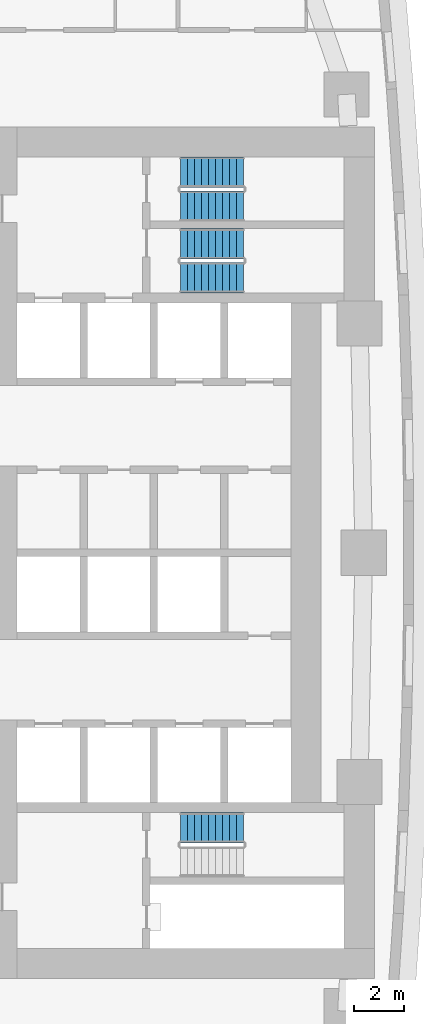
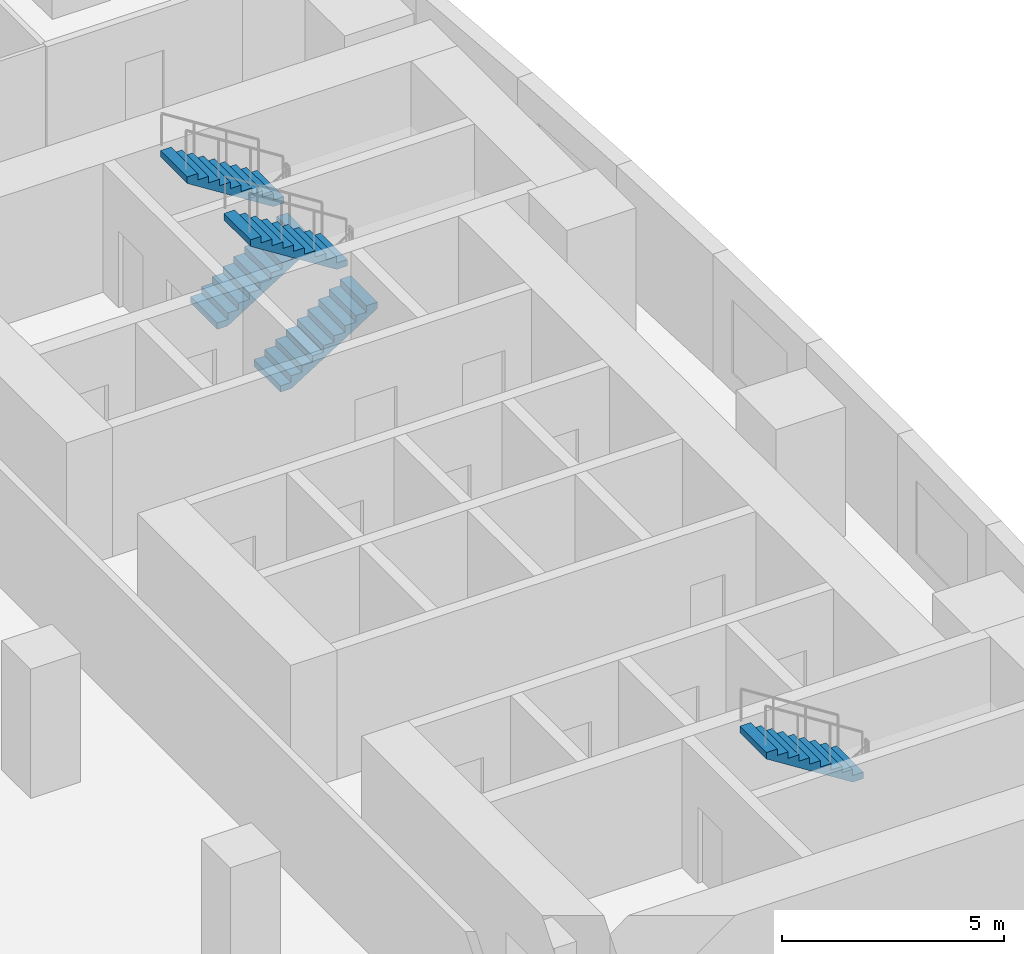
# One storey, part 14 of 19: 5 stair flights, 3 elements without a shape of their own.
"""IFC4 building model written with IfcOpenShell, lengths in metres."""

from ifc_helpers import new_model, si_unit, direction, frame, origin, place, context, subcontext, project, spatial, polyline, outline, extrude, material, type_object, element, aggregate, save


model = new_model("IFC4")

# Units and contexts
model_context = context("Model", 3, precision=1e-05, world=origin(), true_north=direction((0.0, 1.0)))
body_context = subcontext(model_context, "Body", "Model", "MODEL_VIEW")
ifc_project = project(units=[si_unit("LENGTHUNIT", "METRE"), si_unit("AREAUNIT", "SQUARE_METRE"), si_unit("VOLUMEUNIT", "CUBIC_METRE"), si_unit("PLANEANGLEUNIT", "RADIAN"), si_unit("MASSUNIT", "GRAM", prefix="KILO")], contexts=[model_context])

# Site, building, storey
site_placement = place(None, origin())
site = spatial("IfcSite", under=ifc_project, at=site_placement, CompositionType="ELEMENT")
building_placement = place(site_placement, origin())
building = spatial("IfcBuilding", under=site, at=building_placement, Name="Ostrand Prow Hotel Tower", CompositionType="ELEMENT")
storey_placement = place(building_placement, frame((0.0, 0.0, 64.449951171875)))
storey = spatial("IfcBuildingStorey", under=building, at=storey_placement, Name="L14", CompositionType="ELEMENT", Elevation=64.449951171875)

# Stair, stair flights
ifc_material_1 = material(Name="Concrete C40/50", Category="concrete")
stair_type = type_object("IfcStairType", Name="Exit stair 1200 upper zone", PredefinedType="HALF_TURN_STAIR", material=ifc_material_1)
stair_1_placement = place(storey_placement, origin())
stair_1 = element("IfcStair", 1, at=stair_1_placement, inside=storey, type_object=stair_type, Name="L14 ST1C", PredefinedType="HALF_TURN_STAIR")
ifc_material_2 = material(Name="Concrete C40/50", Category="concrete")
stair_flight_type = type_object("IfcStairFlightType", Name="Stair flight 1200 concrete", PredefinedType="STRAIGHT", material=ifc_material_2)
stair_flight_1_placement = place(storey_placement, frame((57.199951171875, 10.949951171875, 0.0), z_axis=(0.0, 0.0, 1.0), x_axis=(1.0, 0.0, 0.0)))
stair_flight_1 = element("IfcStairFlight", 2, at=stair_flight_1_placement, type_object=stair_flight_type, Name="ST1C flight 1", NumberOfRisers=10, NumberOfTreads=9, PredefinedType="STRAIGHT", RiserHeight=0.1775, TreadLength=0.28, context=body_context, shape_type="SweptSolid", body=[
    extrude(outline(polyline([(0.0, 0.0), (0.0, 0.177490234375), (0.280029296875, 0.177490234375), (0.280029296875, 0.35498046875), (0.56005859375, 0.35498046875), (0.56005859375, 0.532470703125), (0.840087890625, 0.532470703125), (0.840087890625, 0.7099609375), (1.1201171875, 0.7099609375), (1.1201171875, 0.887451171875), (1.39990234375, 0.887451171875), (1.39990234375, 1.06494140625), (1.679931640625, 1.06494140625), (1.679931640625, 1.242431640625), (1.9599609375, 1.242431640625), (1.9599609375, 1.419921875), (2.239990234375, 1.419921875), (2.239990234375, 1.597412109375), (2.52001953125, 1.597412109375), (2.52001953125, 1.77490234375), (2.52001953125, 1.419921875), (0.280029296875, 0.0), (0.0, 0.0)])), frame((0.0, 0.60009765625, 0.0), z_axis=(0.0, -1.0, 0.0), x_axis=(1.0, 0.0, 0.0)), (0.0, 0.0, 1.0), 1.199951171875),
])
stair_flight_2_placement = place(storey_placement, frame((59.719970703125, 12.300048828125, 1.775146484375), z_axis=(0.0, 0.0, 1.0), x_axis=(-1.0, 0.0, 0.0)))
stair_flight_2 = element("IfcStairFlight", 3, at=stair_flight_2_placement, type_object=stair_flight_type, Name="ST1C flight 2", NumberOfRisers=10, NumberOfTreads=9, PredefinedType="STRAIGHT", RiserHeight=0.1775, TreadLength=0.28, context=body_context, shape_type="SweptSolid", body=[
    extrude(outline(polyline([(0.0, 0.0), (0.0, 0.177490234375), (0.280029296875, 0.177490234375), (0.280029296875, 0.35498046875), (0.56005859375, 0.35498046875), (0.56005859375, 0.532470703125), (0.840087890625, 0.532470703125), (0.840087890625, 0.7099609375), (1.1201171875, 0.7099609375), (1.1201171875, 0.887451171875), (1.39990234375, 0.887451171875), (1.39990234375, 1.06494140625), (1.679931640625, 1.06494140625), (1.679931640625, 1.242431640625), (1.9599609375, 1.242431640625), (1.9599609375, 1.419921875), (2.239990234375, 1.419921875), (2.239990234375, 1.597412109375), (2.52001953125, 1.597412109375), (2.52001953125, 1.77490234375), (2.52001953125, 1.419921875), (0.280029296875, 0.0), (0.0, 0.0)])), frame((0.0, 0.60009765625, 0.0), z_axis=(0.0, -1.0, 0.0), x_axis=(1.0, 0.0, 0.0)), (0.0, 0.0, 1.0), 1.199951171875),
])
aggregate(stair_1, [stair_flight_1, stair_flight_2])

stair_2_placement = place(storey_placement, origin())
stair_2 = element("IfcStair", 4, at=stair_2_placement, inside=storey, type_object=stair_type, Name="L14 ST3C", PredefinedType="HALF_TURN_STAIR")
stair_flight_3_placement = place(storey_placement, frame((57.199951171875, 13.800048828125, 0.0), z_axis=(0.0, 0.0, 1.0), x_axis=(1.0, 0.0, 0.0)))
stair_flight_3 = element("IfcStairFlight", 5, at=stair_flight_3_placement, type_object=stair_flight_type, Name="ST3C flight 1", NumberOfRisers=10, NumberOfTreads=9, PredefinedType="STRAIGHT", RiserHeight=0.1775, TreadLength=0.28, context=body_context, shape_type="SweptSolid", body=[
    extrude(outline(polyline([(0.0, 0.0), (0.0, 0.177490234375), (0.280029296875, 0.177490234375), (0.280029296875, 0.35498046875), (0.56005859375, 0.35498046875), (0.56005859375, 0.532470703125), (0.840087890625, 0.532470703125), (0.840087890625, 0.7099609375), (1.1201171875, 0.7099609375), (1.1201171875, 0.887451171875), (1.39990234375, 0.887451171875), (1.39990234375, 1.06494140625), (1.679931640625, 1.06494140625), (1.679931640625, 1.242431640625), (1.9599609375, 1.242431640625), (1.9599609375, 1.419921875), (2.239990234375, 1.419921875), (2.239990234375, 1.597412109375), (2.52001953125, 1.597412109375), (2.52001953125, 1.77490234375), (2.52001953125, 1.419921875), (0.280029296875, 0.0), (0.0, 0.0)])), frame((0.0, 0.60009765625, 0.0), z_axis=(0.0, -1.0, 0.0), x_axis=(1.0, 0.0, 0.0)), (0.0, 0.0, 1.0), 1.199951171875),
])
stair_flight_4_placement = place(storey_placement, frame((59.719970703125, 15.14990234375, 1.775146484375), z_axis=(0.0, 0.0, 1.0), x_axis=(-1.0, 0.0, 0.0)))
stair_flight_4 = element("IfcStairFlight", 6, at=stair_flight_4_placement, type_object=stair_flight_type, Name="ST3C flight 2", NumberOfRisers=10, NumberOfTreads=9, PredefinedType="STRAIGHT", RiserHeight=0.1775, TreadLength=0.28, context=body_context, shape_type="SweptSolid", body=[
    extrude(outline(polyline([(0.0, 0.0), (0.0, 0.177490234375), (0.280029296875, 0.177490234375), (0.280029296875, 0.35498046875), (0.56005859375, 0.35498046875), (0.56005859375, 0.532470703125), (0.840087890625, 0.532470703125), (0.840087890625, 0.7099609375), (1.1201171875, 0.7099609375), (1.1201171875, 0.887451171875), (1.39990234375, 0.887451171875), (1.39990234375, 1.06494140625), (1.679931640625, 1.06494140625), (1.679931640625, 1.242431640625), (1.9599609375, 1.242431640625), (1.9599609375, 1.419921875), (2.239990234375, 1.419921875), (2.239990234375, 1.597412109375), (2.52001953125, 1.597412109375), (2.52001953125, 1.77490234375), (2.52001953125, 1.419921875), (0.280029296875, 0.0), (0.0, 0.0)])), frame((0.0, 0.60009765625, 0.0), z_axis=(0.0, -1.0, 0.0), x_axis=(1.0, 0.0, 0.0)), (0.0, 0.0, 1.0), 1.199951171875),
])
aggregate(stair_2, [stair_flight_3, stair_flight_4])

# Stair, stair flight
stair_3_placement = place(storey_placement, origin())
stair_3 = element("IfcStair", 7, at=stair_3_placement, inside=storey, type_object=stair_type, Name="L14 ST2C", PredefinedType="HALF_TURN_STAIR")
stair_flight_5_placement = place(storey_placement, frame((59.719970703125, -10.949951171875, 1.775146484375), z_axis=(0.0, 0.0, 1.0), x_axis=(-1.0, 0.0, 0.0)))
stair_flight_5 = element("IfcStairFlight", 8, at=stair_flight_5_placement, type_object=stair_flight_type, Name="ST2C flight 2", NumberOfRisers=10, NumberOfTreads=9, PredefinedType="STRAIGHT", RiserHeight=0.1775, TreadLength=0.28, context=body_context, shape_type="SweptSolid", body=[
    extrude(outline(polyline([(0.0, 0.0), (0.0, 0.177490234375), (0.280029296875, 0.177490234375), (0.280029296875, 0.35498046875), (0.56005859375, 0.35498046875), (0.56005859375, 0.532470703125), (0.840087890625, 0.532470703125), (0.840087890625, 0.7099609375), (1.1201171875, 0.7099609375), (1.1201171875, 0.887451171875), (1.39990234375, 0.887451171875), (1.39990234375, 1.06494140625), (1.679931640625, 1.06494140625), (1.679931640625, 1.242431640625), (1.9599609375, 1.242431640625), (1.9599609375, 1.419921875), (2.239990234375, 1.419921875), (2.239990234375, 1.597412109375), (2.52001953125, 1.597412109375), (2.52001953125, 1.77490234375), (2.52001953125, 1.419921875), (0.280029296875, 0.0), (0.0, 0.0)])), frame((0.0, 0.60009765625, 0.0), z_axis=(0.0, -1.0, 0.0), x_axis=(1.0, 0.0, 0.0)), (0.0, 0.0, 1.0), 1.199951171875),
])
aggregate(stair_3, [stair_flight_5])

save(model, "model.ifc")
